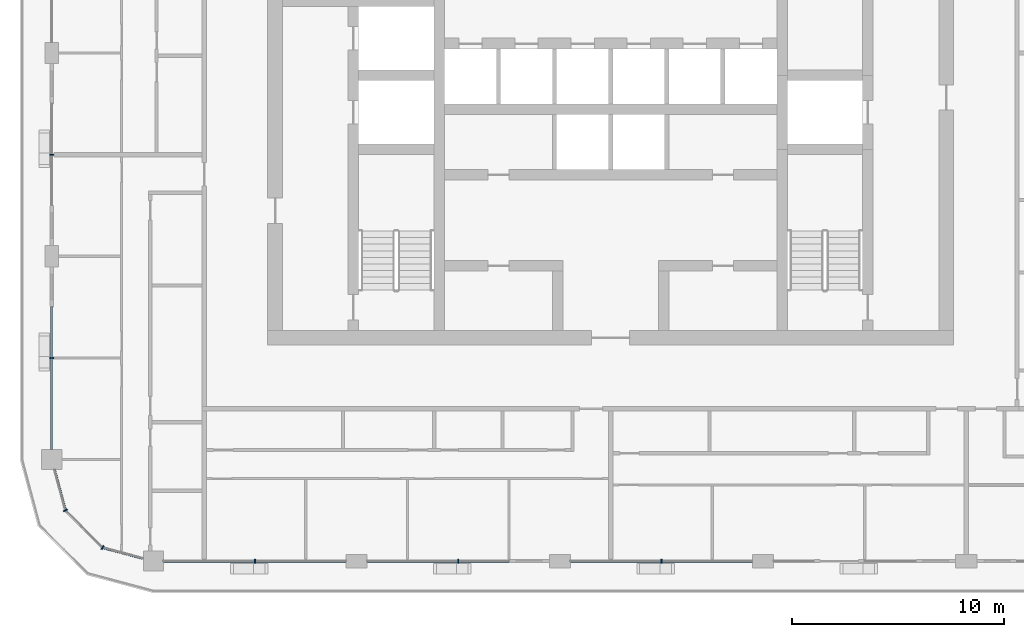
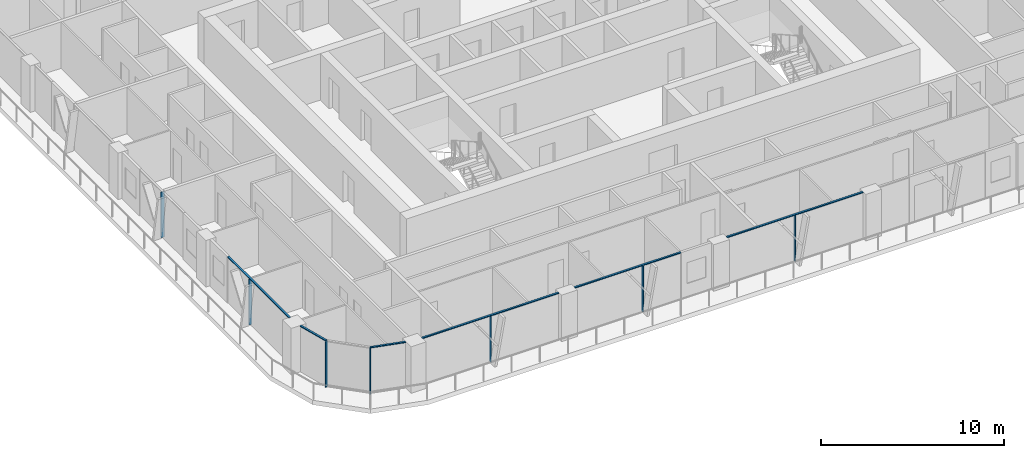
# One storey, part 2 of 22: 13 members, 6 elements without a shape of their own.
"""IFC4 building model written with IfcOpenShell, lengths in metres."""

from ifc_helpers import new_model, si_unit, direction, frame, origin, origin_2d, place, context, subcontext, project, spatial, rectangle, extrude, material, layer, layer_set, material_profile, profile_set, type_object, element, aggregate, save


model = new_model("IFC4")

# Units and contexts
model_context = context("Model", 3, precision=1e-05, world=origin(), true_north=direction((0.0, 1.0)))
body_context = subcontext(model_context, "Body", "Model", "MODEL_VIEW")
ifc_project = project(units=[si_unit("LENGTHUNIT", "METRE"), si_unit("AREAUNIT", "SQUARE_METRE"), si_unit("VOLUMEUNIT", "CUBIC_METRE"), si_unit("PLANEANGLEUNIT", "RADIAN"), si_unit("MASSUNIT", "GRAM", prefix="KILO")], contexts=[model_context])

# Site, building, storey
site_placement = place(None, origin())
site = spatial("IfcSite", under=ifc_project, at=site_placement, CompositionType="ELEMENT")
building_placement = place(site_placement, origin())
building = spatial("IfcBuilding", under=site, at=building_placement, Name="Madar Terraces", CompositionType="ELEMENT")
storey_placement = place(building_placement, frame((0.0, 0.0, 229.800048828125)))
storey = spatial("IfcBuildingStorey", under=building, at=storey_placement, Name="L60", CompositionType="ELEMENT", Elevation=229.800048828125)

# Curtain wall, member
ifc_material_1 = material(Name="Glass, ceramic frit dark grey, with black aluminium frame", Category="aluminium")
ifc_layer = layer(ifc_material_1, 0.199951171875)
ifc_layer_set = layer_set([ifc_layer], Name="Facade curtain wall, fritted glass")
curtain_wall_type = type_object("IfcCurtainWallType", Name="Facade curtain wall, fritted glass", PredefinedType="NOTDEFINED", material=ifc_layer_set)
curtain_wall_1_placement = place(storey_placement, origin())
curtain_wall_1 = element("IfcCurtainWall", 1, at=curtain_wall_1_placement, inside=storey, type_object=curtain_wall_type, Name="Outer skin curtain wall south bay 1", PredefinedType="NOTDEFINED")
ifc_material_2 = material(Name="Aluminium, black anodised", Category="aluminium")
ifc_material_profile_1 = material_profile(ifc_material_2, rectangle(XDim=0.199951171875, YDim=0.06005859375, at=origin_2d()), Name="Facade mullion 60x200")
ifc_profile_set_1 = profile_set([ifc_material_profile_1], Name="Aluminium, black anodised")
member_type_1 = type_object("IfcMemberType", Name="Facade mullion 60x200", PredefinedType="MULLION", material=ifc_profile_set_1)
member_1_placement = place(storey_placement, frame((14.39990234375, 4.800048828125, 0.0), z_axis=(0.0, 0.0, 1.0), x_axis=(0.0, 1.0, 0.0)))
member_1 = element("IfcMember", 2, at=member_1_placement, type_object=member_type_1, Name="Mullion 1", PredefinedType="MULLION", context=body_context, shape_type="SweptSolid", body=[
    extrude(rectangle(XDim=0.199951171875, YDim=0.06005859375, at=origin_2d()), origin(), (0.0, 0.0, 1.0), 3.0400390625),
])

curtain_wall_2_placement = place(storey_placement, origin())
curtain_wall_2 = element("IfcCurtainWall", 3, at=curtain_wall_2_placement, inside=storey, type_object=curtain_wall_type, Name="Outer skin curtain wall south bay 2", PredefinedType="NOTDEFINED")
member_2_placement = place(storey_placement, frame((24.0, 4.800048828125, 0.0), z_axis=(0.0, 0.0, 1.0), x_axis=(0.0, 1.0, 0.0)))
member_2 = element("IfcMember", 4, at=member_2_placement, type_object=member_type_1, Name="Mullion 1", PredefinedType="MULLION", context=body_context, shape_type="SweptSolid", body=[
    extrude(rectangle(XDim=0.199951171875, YDim=0.06005859375, at=origin_2d()), origin(), (0.0, 0.0, 1.0), 3.0400390625),
])

curtain_wall_3_placement = place(storey_placement, origin())
curtain_wall_3 = element("IfcCurtainWall", 5, at=curtain_wall_3_placement, inside=storey, type_object=curtain_wall_type, Name="Outer skin curtain wall south bay 3", PredefinedType="NOTDEFINED")
member_3_placement = place(storey_placement, frame((33.60009765625, 4.800048828125, 0.0), z_axis=(0.0, 0.0, 1.0), x_axis=(0.0, 1.0, 0.0)))
member_3 = element("IfcMember", 6, at=member_3_placement, type_object=member_type_1, Name="Mullion 1", PredefinedType="MULLION", context=body_context, shape_type="SweptSolid", body=[
    extrude(rectangle(XDim=0.199951171875, YDim=0.06005859375, at=origin_2d()), origin(), (0.0, 0.0, 1.0), 3.0400390625),
])

curtain_wall_4_placement = place(storey_placement, origin())
curtain_wall_4 = element("IfcCurtainWall", 7, at=curtain_wall_4_placement, inside=storey, type_object=curtain_wall_type, Name="Outer skin curtain wall west bay 3", PredefinedType="NOTDEFINED")
member_4_placement = place(storey_placement, frame((4.800048828125, 24.0, 0.0), z_axis=(0.0, 0.0, 1.0), x_axis=(1.0, 0.0, 0.0)))
member_4 = element("IfcMember", 8, at=member_4_placement, type_object=member_type_1, Name="Mullion 1", PredefinedType="MULLION", context=body_context, shape_type="SweptSolid", body=[
    extrude(rectangle(XDim=0.199951171875, YDim=0.06005859375, at=origin_2d()), origin(), (0.0, 0.0, 1.0), 3.0400390625),
])
aggregate(curtain_wall_4, [member_4])

curtain_wall_5_placement = place(storey_placement, origin())
curtain_wall_5 = element("IfcCurtainWall", 9, at=curtain_wall_5_placement, inside=storey, type_object=curtain_wall_type, Name="Outer skin curtain wall west bay 4", PredefinedType="NOTDEFINED")
member_5_placement = place(storey_placement, frame((4.800048828125, 14.39990234375, 0.0), z_axis=(0.0, 0.0, 1.0), x_axis=(1.0, 0.0, 0.0)))
member_5 = element("IfcMember", 10, at=member_5_placement, type_object=member_type_1, Name="Mullion 1", PredefinedType="MULLION", context=body_context, shape_type="SweptSolid", body=[
    extrude(rectangle(XDim=0.199951171875, YDim=0.06005859375, at=origin_2d()), origin(), (0.0, 0.0, 1.0), 3.0400390625),
])

# Curtain wall, members
curtain_wall_6_placement = place(storey_placement, origin())
curtain_wall_6 = element("IfcCurtainWall", 11, at=curtain_wall_6_placement, inside=storey, type_object=curtain_wall_type, Name="Outer skin curtain wall south-west corner", PredefinedType="NOTDEFINED")
member_6_placement = place(storey_placement, frame((5.443115234375, 7.199951171875, 0.0), z_axis=(0.0, 0.0, 1.0), x_axis=(0.866025409797, 0.499999989586, 0.0)))
member_6 = element("IfcMember", 12, at=member_6_placement, type_object=member_type_1, Name="Mullion 1", PredefinedType="MULLION", context=body_context, shape_type="SweptSolid", body=[
    extrude(rectangle(XDim=0.199951171875, YDim=0.06005859375, at=origin_2d()), origin(), (0.0, 0.0, 1.0), 3.0400390625),
])
member_7_placement = place(storey_placement, frame((7.199951171875, 5.443115234375, 0.0), z_axis=(0.0, 0.0, 1.0), x_axis=(0.499999989586, 0.866025409797, 0.0)))
member_7 = element("IfcMember", 13, at=member_7_placement, type_object=member_type_1, Name="Mullion 2", PredefinedType="MULLION", context=body_context, shape_type="SweptSolid", body=[
    extrude(rectangle(XDim=0.199951171875, YDim=0.06005859375, at=origin_2d()), origin(), (0.0, 0.0, 1.0), 3.0400390625),
])

# Member
ifc_material_3 = material(Name="Aluminium, black anodised", Category="aluminium")
ifc_material_profile_2 = material_profile(ifc_material_3, rectangle(XDim=0.1201171875, YDim=0.06005859375, at=origin_2d()), Name="Facade transom 60x120")
ifc_profile_set_2 = profile_set([ifc_material_profile_2], Name="Aluminium, black anodised")
member_type_2 = type_object("IfcMemberType", Name="Facade transom 60x120", PredefinedType="USERDEFINED", material=ifc_profile_set_2)
member_8_placement = place(storey_placement, frame((10.074951171875, 4.800048828125, 3.070068359375), z_axis=(1.0, 0.0, 0.0), x_axis=(0.0, 1.0, 0.0)))
member_8 = element("IfcMember", 14, at=member_8_placement, type_object=member_type_2, Name="Transom 1", ObjectType="TRANSOM", PredefinedType="USERDEFINED", context=body_context, shape_type="SweptSolid", body=[
    extrude(rectangle(XDim=0.1201171875, YDim=0.06005859375, at=origin_2d()), origin(), (0.0, 0.0, 1.0), 8.625),
])

aggregate(curtain_wall_1, [member_1, member_8])

member_9_placement = place(storey_placement, frame((19.699951171875, 4.800048828125, 3.070068359375), z_axis=(1.0, 0.0, 0.0), x_axis=(0.0, 1.0, 0.0)))
member_9 = element("IfcMember", 15, at=member_9_placement, type_object=member_type_2, Name="Transom 1", ObjectType="TRANSOM", PredefinedType="USERDEFINED", context=body_context, shape_type="SweptSolid", body=[
    extrude(rectangle(XDim=0.1201171875, YDim=0.06005859375, at=origin_2d()), origin(), (0.0, 0.0, 1.0), 6.699951171875),
])

aggregate(curtain_wall_2, [member_2, member_9])

member_10_placement = place(storey_placement, frame((29.300048828125, 4.800048828125, 3.070068359375), z_axis=(1.0, 0.0, 0.0), x_axis=(0.0, 1.0, 0.0)))
member_10 = element("IfcMember", 16, at=member_10_placement, type_object=member_type_2, Name="Transom 1", ObjectType="TRANSOM", PredefinedType="USERDEFINED", context=body_context, shape_type="SweptSolid", body=[
    extrude(rectangle(XDim=0.1201171875, YDim=0.06005859375, at=origin_2d()), origin(), (0.0, 0.0, 1.0), 8.599853515625),
])

aggregate(curtain_wall_3, [member_3, member_10])

member_11_placement = place(storey_placement, frame((4.800048828125, 16.800048828125, 3.070068359375), z_axis=(0.0, -1.0, 0.0), x_axis=(1.0, 0.0, 0.0)))
member_11 = element("IfcMember", 17, at=member_11_placement, type_object=member_type_2, Name="Transom 1", ObjectType="TRANSOM", PredefinedType="USERDEFINED", context=body_context, shape_type="SweptSolid", body=[
    extrude(rectangle(XDim=0.1201171875, YDim=0.06005859375, at=origin_2d()), origin(), (0.0, 0.0, 1.0), 6.72509765625),
])

aggregate(curtain_wall_5, [member_5, member_11])

member_12_placement = place(storey_placement, frame((4.92724609375, 9.125, 3.070068359375), z_axis=(0.258831412352, -0.96592251241, 0.0), x_axis=(0.96592251241, 0.258831412352, 0.0)))
member_12 = element("IfcMember", 18, at=member_12_placement, type_object=member_type_2, Name="Transom 1", ObjectType="TRANSOM", PredefinedType="USERDEFINED", context=body_context, shape_type="SweptSolid", body=[
    extrude(rectangle(XDim=0.1201171875, YDim=0.06005859375, at=origin_2d()), origin(), (0.0, 0.0, 1.0), 1.962890625),
])

member_13_placement = place(storey_placement, frame((7.22900390625, 5.435302734375, 3.070068359375), z_axis=(0.96592251241, -0.258831412352, 0.0), x_axis=(0.258831412352, 0.96592251241, 0.0)))
member_13 = element("IfcMember", 19, at=member_13_placement, type_object=member_type_2, Name="Transom 3", ObjectType="TRANSOM", PredefinedType="USERDEFINED", context=body_context, shape_type="SweptSolid", body=[
    extrude(rectangle(XDim=0.1201171875, YDim=0.06005859375, at=origin_2d()), origin(), (0.0, 0.0, 1.0), 1.962890625),
])

aggregate(curtain_wall_6, [member_6, member_12, member_7, member_13])

save(model, "model.ifc")
